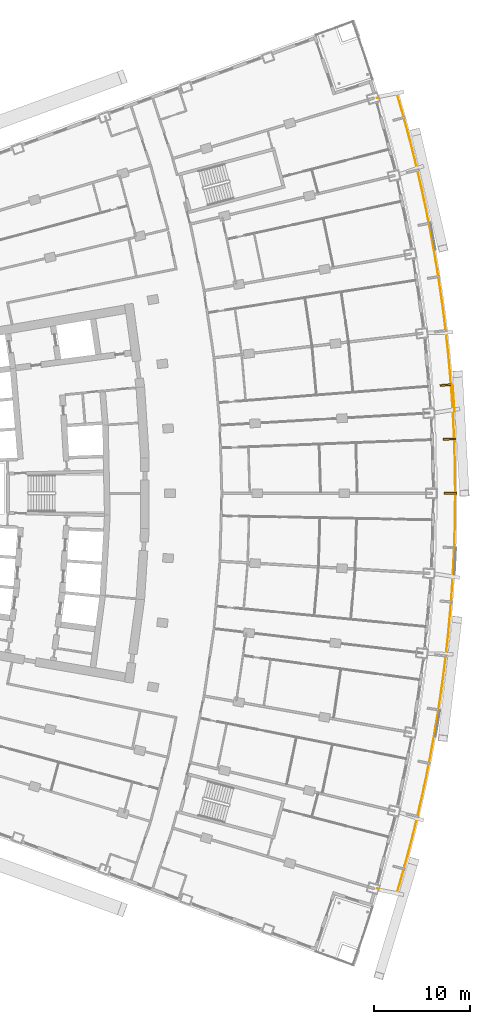
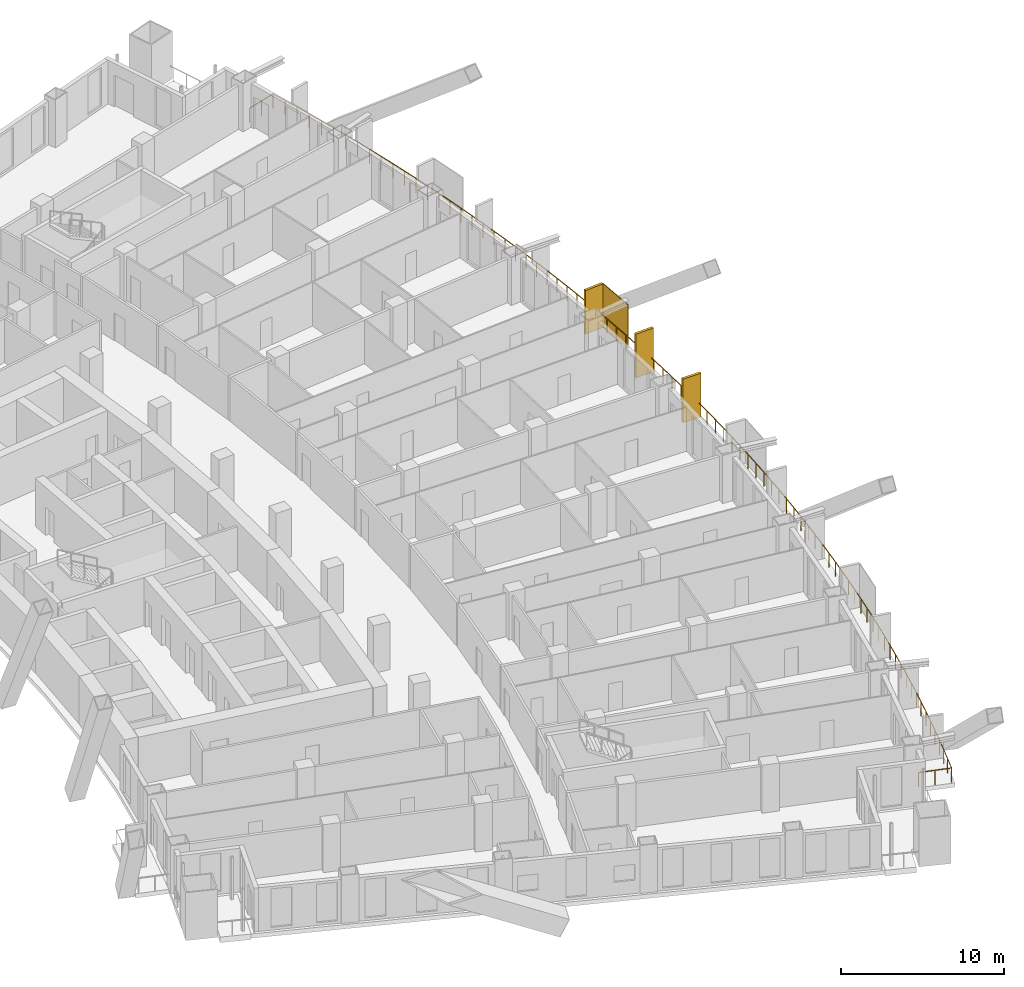
# One storey, part 24 of 25: 4 shading devices, 1 railing.
"""IFC4 building model written with IfcOpenShell, lengths in metres."""

from ifc_helpers import new_model, si_unit, direction, frame, origin, origin_2d, place, context, subcontext, project, spatial, rectangle, extrude, material, layer, layer_set, type_object, element, save


model = new_model("IFC4")

# Units and contexts
model_context = context("Model", 3, precision=1e-05, world=origin(), true_north=direction((0.0, 1.0)))
body_context = subcontext(model_context, "Body", "Model", "MODEL_VIEW")
ifc_project = project(units=[si_unit("LENGTHUNIT", "METRE"), si_unit("AREAUNIT", "SQUARE_METRE"), si_unit("VOLUMEUNIT", "CUBIC_METRE"), si_unit("PLANEANGLEUNIT", "RADIAN"), si_unit("MASSUNIT", "GRAM", prefix="KILO")], contexts=[model_context])

# Site, building, storey
site_placement = place(None, origin())
site = spatial("IfcSite", under=ifc_project, at=site_placement, CompositionType="ELEMENT")
building_placement = place(site_placement, origin())
building = spatial("IfcBuilding", under=site, at=building_placement, Name="Alderwake Tower", CompositionType="ELEMENT")
storey_placement = place(building_placement, frame((0.0, 0.0, 42.800048828125)))
storey = spatial("IfcBuildingStorey", under=building, at=storey_placement, Name="L09", CompositionType="ELEMENT", Elevation=42.800048828125)

# Railing
ifc_material_1 = material(Name="Stainless steel 316 rail and posts", Category="steel")
railing_type = type_object("IfcRailingType", Name="Balcony guard 1100", PredefinedType="GUARDRAIL", material=ifc_material_1)
railing_placement = place(storey_placement, frame((57.371826171875, 19.85986328125, 0.0)))
element("IfcRailing", 1, at=railing_placement, inside=storey, type_object=railing_type, Name="Guard BF02", PredefinedType="GUARDRAIL", context=body_context, shape_type="SweptSolid", body=[
    extrude(rectangle(XDim=0.048095703125, YDim=0.048095703125, at=origin_2d()), frame((0.0, 0.0, 1.076171875), z_axis=(0.957963748181, -0.286889276849, 0.0), x_axis=(0.286889276849, 0.957963748181, 0.0)), (0.0, 0.0, 1.0), 2.100341796875),
    extrude(rectangle(XDim=0.048095703125, YDim=0.048095703125, at=origin_2d()), frame((2.011962890625, -0.6025390625, 1.076171875), z_axis=(0.280139100614, 0.959959418052, 0.0), x_axis=(-0.959959418052, 0.280139100614, 0.0)), (0.0, 0.0, 1.0), 2.02197265625),
    extrude(rectangle(XDim=0.048095703125, YDim=0.048095703125, at=origin_2d()), frame((2.578369140625, 1.33837890625, 1.076171875), z_axis=(0.26658150654, 0.9638123782, 0.0), x_axis=(-0.9638123782, 0.26658150654, 0.0)), (0.0, 0.0, 1.0), 2.1220703125),
    extrude(rectangle(XDim=0.048095703125, YDim=0.048095703125, at=origin_2d()), frame((3.14404296875, 3.383544921875, 1.076171875), z_axis=(0.252459370457, 0.967607495976, 0.0), x_axis=(-0.967607495976, 0.252459370457, 0.0)), (0.0, 0.0, 1.0), 2.121826171875),
    extrude(rectangle(XDim=0.048095703125, YDim=0.048095703125, at=origin_2d()), frame((3.6796875, 5.4365234375, 1.076171875), z_axis=(0.238282958, 0.971195774253, 0.0), x_axis=(-0.971195774253, 0.238282958, 0.0)), (0.0, 0.0, 1.0), 2.121826171875),
    extrude(rectangle(XDim=0.048095703125, YDim=0.048095703125, at=origin_2d()), frame((4.185302734375, 7.497314453125, 1.076171875), z_axis=(0.224136765, 0.974557699972, 0.0), x_axis=(-0.974557699972, 0.224136765, 0.0)), (0.0, 0.0, 1.0), 2.121826171875),
    extrude(rectangle(XDim=0.048095703125, YDim=0.048095703125, at=origin_2d()), frame((4.660888671875, 9.565185546875, 1.076171875), z_axis=(0.209859086272, 0.977731642072, 0.0), x_axis=(-0.977731642072, 0.209859086272, 0.0)), (0.0, 0.0, 1.0), 2.1220703125),
    extrude(rectangle(XDim=0.048095703125, YDim=0.048095703125, at=origin_2d()), frame((5.106201171875, 11.639892578125, 1.076171875), z_axis=(0.195607176026, 0.980682330159, 0.0), x_axis=(-0.980682330159, 0.195607176026, 0.0)), (0.0, 0.0, 1.0), 2.121826171875),
    extrude(rectangle(XDim=0.048095703125, YDim=0.048095703125, at=origin_2d()), frame((5.521240234375, 13.720703125, 1.076171875), z_axis=(0.181223929541, 0.983441857642, 0.0), x_axis=(-0.983441857642, 0.181223929541, 0.0)), (0.0, 0.0, 1.0), 2.121826171875),
    extrude(rectangle(XDim=0.048095703125, YDim=0.048095703125, at=origin_2d()), frame((5.90576171875, 15.807373046875, 1.076171875), z_axis=(0.166935734745, 0.985967778614, 0.0), x_axis=(-0.985967778614, 0.166935734745, 0.0)), (0.0, 0.0, 1.0), 2.1220703125),
    extrude(rectangle(XDim=0.048095703125, YDim=0.048095703125, at=origin_2d()), frame((6.260009765625, 17.899658203125, 1.076171875), z_axis=(0.152575952674, 0.988291747747, 0.0), x_axis=(-0.988291747747, 0.152575952674, 0.0)), (0.0, 0.0, 1.0), 2.121826171875),
    extrude(rectangle(XDim=0.048095703125, YDim=0.048095703125, at=origin_2d()), frame((6.583740234375, 19.99658203125, 1.076171875), z_axis=(0.138070046454, 0.990422466563, 0.0), x_axis=(-0.990422466563, 0.138070046454, 0.0)), (0.0, 0.0, 1.0), 2.121826171875),
    extrude(rectangle(XDim=0.048095703125, YDim=0.048095703125, at=origin_2d()), frame((6.876708984375, 22.09814453125, 1.076171875), z_axis=(0.123694843093, 0.992320304031, 0.0), x_axis=(-0.992320304031, 0.123694843093, 0.0)), (0.0, 0.0, 1.0), 2.121826171875),
    extrude(rectangle(XDim=0.048095703125, YDim=0.048095703125, at=origin_2d()), frame((7.13916015625, 24.20361328125, 1.076171875), z_axis=(0.109080130326, 0.9940329598, 0.0), x_axis=(-0.9940329598, 0.109080130326, 0.0)), (0.0, 0.0, 1.0), 2.121826171875),
    extrude(rectangle(XDim=0.048095703125, YDim=0.048095703125, at=origin_2d()), frame((7.37060546875, 26.312744140625, 1.076171875), z_axis=(0.094695065428, 0.995506325738, 0.0), x_axis=(-0.995506325738, 0.094695065428, 0.0)), (0.0, 0.0, 1.0), 2.121826171875),
    extrude(rectangle(XDim=0.048095703125, YDim=0.048095703125, at=origin_2d()), frame((7.571533203125, 28.425048828125, 1.076171875), z_axis=(0.080083637385, 0.996788147513, 0.0), x_axis=(-0.996788147513, 0.080083637385, 0.0)), (0.0, 0.0, 1.0), 2.121826171875),
    extrude(rectangle(XDim=0.048095703125, YDim=0.048095703125, at=origin_2d()), frame((7.741455078125, 30.5400390625, 1.076171875), z_axis=(0.065579727847, 0.997847332659, 0.0), x_axis=(-0.997847332659, 0.065579727847, 0.0)), (0.0, 0.0, 1.0), 2.1220703125),
    extrude(rectangle(XDim=0.048095703125, YDim=0.048095703125, at=origin_2d()), frame((7.880615234375, 32.657470703125, 1.076171875), z_axis=(0.051085284185, 0.998694294436, 0.0), x_axis=(-0.998694294436, 0.051085284185, 0.0)), (0.0, 0.0, 1.0), 2.121826171875),
    extrude(rectangle(XDim=0.048095703125, YDim=0.048095703125, at=origin_2d()), frame((7.989013671875, 34.776611328125, 1.076171875), z_axis=(0.036360511364, 0.999338737973, 0.0), x_axis=(-0.999338737973, 0.036360511364, 0.0)), (0.0, 0.0, 1.0), 2.121826171875),
    extrude(rectangle(XDim=0.048095703125, YDim=0.048095703125, at=origin_2d()), frame((8.066162109375, 36.89697265625, 1.076171875), z_axis=(0.021976507204, 0.999758487401, 0.0), x_axis=(-0.999758487401, 0.021976507204, 0.0)), (0.0, 0.0, 1.0), 2.121826171875),
    extrude(rectangle(XDim=0.048095703125, YDim=0.048095703125, at=origin_2d()), frame((8.11279296875, 39.018310546875, 1.076171875), z_axis=(0.007248687707, 0.999973727918, 0.0), x_axis=(-0.999973727918, 0.007248687707, 0.0)), (0.0, 0.0, 1.0), 2.121826171875),
    extrude(rectangle(XDim=0.048095703125, YDim=0.048095703125, at=origin_2d()), frame((8.128173828125, 41.14013671875, 1.076171875), z_axis=(-0.007248687707, 0.999973727918, 0.0), x_axis=(-0.999973727918, -0.007248687707, 0.0)), (0.0, 0.0, 1.0), 2.121826171875),
    extrude(rectangle(XDim=0.048095703125, YDim=0.048095703125, at=origin_2d()), frame((8.11279296875, 43.261962890625, 1.076171875), z_axis=(-0.021976507204, 0.999758487401, 0.0), x_axis=(-0.999758487401, -0.021976507204, 0.0)), (0.0, 0.0, 1.0), 2.121826171875),
    extrude(rectangle(XDim=0.048095703125, YDim=0.048095703125, at=origin_2d()), frame((8.066162109375, 45.38330078125, 1.076171875), z_axis=(-0.036360511364, 0.999338737973, 0.0), x_axis=(-0.999338737973, -0.036360511364, 0.0)), (0.0, 0.0, 1.0), 2.121826171875),
    extrude(rectangle(XDim=0.048095703125, YDim=0.048095703125, at=origin_2d()), frame((7.989013671875, 47.503662109375, 1.076171875), z_axis=(-0.051085284185, 0.998694294436, 0.0), x_axis=(-0.998694294436, -0.051085284185, 0.0)), (0.0, 0.0, 1.0), 2.121826171875),
    extrude(rectangle(XDim=0.048095703125, YDim=0.048095703125, at=origin_2d()), frame((7.880615234375, 49.622802734375, 1.076171875), z_axis=(-0.065579727847, 0.997847332659, 0.0), x_axis=(-0.997847332659, -0.065579727847, 0.0)), (0.0, 0.0, 1.0), 2.1220703125),
    extrude(rectangle(XDim=0.048095703125, YDim=0.048095703125, at=origin_2d()), frame((7.741455078125, 51.740234375, 1.076171875), z_axis=(-0.080083637385, 0.996788147513, 0.0), x_axis=(-0.996788147513, -0.080083637385, 0.0)), (0.0, 0.0, 1.0), 2.121826171875),
    extrude(rectangle(XDim=0.048095703125, YDim=0.048095703125, at=origin_2d()), frame((7.571533203125, 53.855224609375, 1.076171875), z_axis=(-0.094695065428, 0.995506325738, 0.0), x_axis=(-0.995506325738, -0.094695065428, 0.0)), (0.0, 0.0, 1.0), 2.121826171875),
    extrude(rectangle(XDim=0.048095703125, YDim=0.048095703125, at=origin_2d()), frame((7.37060546875, 55.967529296875, 1.076171875), z_axis=(-0.109080130326, 0.9940329598, 0.0), x_axis=(-0.9940329598, -0.109080130326, 0.0)), (0.0, 0.0, 1.0), 2.121826171875),
    extrude(rectangle(XDim=0.048095703125, YDim=0.048095703125, at=origin_2d()), frame((7.13916015625, 58.07666015625, 1.076171875), z_axis=(-0.123694843093, 0.992320304031, 0.0), x_axis=(-0.992320304031, -0.123694843093, 0.0)), (0.0, 0.0, 1.0), 2.121826171875),
    extrude(rectangle(XDim=0.048095703125, YDim=0.048095703125, at=origin_2d()), frame((6.876708984375, 60.18212890625, 1.076171875), z_axis=(-0.138070046454, 0.990422466563, 0.0), x_axis=(-0.990422466563, -0.138070046454, 0.0)), (0.0, 0.0, 1.0), 2.121826171875),
    extrude(rectangle(XDim=0.048095703125, YDim=0.048095703125, at=origin_2d()), frame((6.583740234375, 62.28369140625, 1.076171875), z_axis=(-0.152575952674, 0.988291747747, 0.0), x_axis=(-0.988291747747, -0.152575952674, 0.0)), (0.0, 0.0, 1.0), 2.121826171875),
    extrude(rectangle(XDim=0.048095703125, YDim=0.048095703125, at=origin_2d()), frame((6.260009765625, 64.380615234375, 1.076171875), z_axis=(-0.166935734745, 0.985967778614, 0.0), x_axis=(-0.985967778614, -0.166935734745, 0.0)), (0.0, 0.0, 1.0), 2.1220703125),
    extrude(rectangle(XDim=0.048095703125, YDim=0.048095703125, at=origin_2d()), frame((5.90576171875, 66.472900390625, 1.076171875), z_axis=(-0.181223929541, 0.983441857642, 0.0), x_axis=(-0.983441857642, -0.181223929541, 0.0)), (0.0, 0.0, 1.0), 2.121826171875),
    extrude(rectangle(XDim=0.048095703125, YDim=0.048095703125, at=origin_2d()), frame((5.521240234375, 68.5595703125, 1.076171875), z_axis=(-0.195607176026, 0.980682330159, 0.0), x_axis=(-0.980682330159, -0.195607176026, 0.0)), (0.0, 0.0, 1.0), 2.121826171875),
    extrude(rectangle(XDim=0.048095703125, YDim=0.048095703125, at=origin_2d()), frame((5.106201171875, 70.640380859375, 1.076171875), z_axis=(-0.209859086272, 0.977731642072, 0.0), x_axis=(-0.977731642072, -0.209859086272, 0.0)), (0.0, 0.0, 1.0), 2.1220703125),
    extrude(rectangle(XDim=0.048095703125, YDim=0.048095703125, at=origin_2d()), frame((4.660888671875, 72.715087890625, 1.076171875), z_axis=(-0.224136765, 0.974557699972, 0.0), x_axis=(-0.974557699972, -0.224136765, 0.0)), (0.0, 0.0, 1.0), 2.121826171875),
    extrude(rectangle(XDim=0.048095703125, YDim=0.048095703125, at=origin_2d()), frame((4.185302734375, 74.782958984375, 1.076171875), z_axis=(-0.238282958, 0.971195774253, 0.0), x_axis=(-0.971195774253, -0.238282958, 0.0)), (0.0, 0.0, 1.0), 2.121826171875),
    extrude(rectangle(XDim=0.048095703125, YDim=0.048095703125, at=origin_2d()), frame((3.6796875, 76.84375, 1.076171875), z_axis=(-0.252459370457, 0.967607495976, 0.0), x_axis=(-0.967607495976, -0.252459370457, 0.0)), (0.0, 0.0, 1.0), 2.121826171875),
    extrude(rectangle(XDim=0.048095703125, YDim=0.048095703125, at=origin_2d()), frame((3.14404296875, 78.896728515625, 1.076171875), z_axis=(-0.26658150654, 0.9638123782, 0.0), x_axis=(-0.9638123782, -0.26658150654, 0.0)), (0.0, 0.0, 1.0), 2.1220703125),
    extrude(rectangle(XDim=0.048095703125, YDim=0.048095703125, at=origin_2d()), frame((2.578369140625, 80.94189453125, 1.076171875), z_axis=(-0.280139100614, 0.959959418052, 0.0), x_axis=(-0.959959418052, -0.280139100614, 0.0)), (0.0, 0.0, 1.0), 2.02197265625),
    extrude(rectangle(XDim=0.048095703125, YDim=0.048095703125, at=origin_2d()), frame((2.011962890625, 82.8828125, 1.076171875), z_axis=(-0.957963748181, -0.286889276849, 0.0), x_axis=(0.286889276849, -0.957963748181, 0.0)), (0.0, 0.0, 1.0), 2.100341796875),
    extrude(rectangle(XDim=0.0419921875, YDim=0.0419921875, at=origin_2d()), frame((0.0, 0.0, 0.0), z_axis=(0.0, 0.0, 1.0), x_axis=(0.957963748181, -0.286889276849, 0.0)), (0.0, 0.0, 1.0), 1.052001953125),
    extrude(rectangle(XDim=0.0419921875, YDim=0.0419921875, at=origin_2d()), frame((1.005859375, -0.30126953125, 0.0), z_axis=(0.0, 0.0, 1.0), x_axis=(0.957963748181, -0.286889276849, 0.0)), (0.0, 0.0, 1.0), 1.052001953125),
    extrude(rectangle(XDim=0.0419921875, YDim=0.0419921875, at=origin_2d()), frame((2.011962890625, -0.6025390625, 0.0), z_axis=(0.0, 0.0, 1.0), x_axis=(0.280139100614, 0.959959418052, 0.0)), (0.0, 0.0, 1.0), 1.052001953125),
    extrude(rectangle(XDim=0.0419921875, YDim=0.0419921875, at=origin_2d()), frame((2.295166015625, 0.367919921875, 0.0), z_axis=(0.0, 0.0, 1.0), x_axis=(0.280139100614, 0.959959418052, 0.0)), (0.0, 0.0, 1.0), 1.052001953125),
    extrude(rectangle(XDim=0.0419921875, YDim=0.0419921875, at=origin_2d()), frame((2.578369140625, 1.33837890625, 0.0), z_axis=(0.0, 0.0, 1.0), x_axis=(0.26658150654, 0.9638123782, 0.0)), (0.0, 0.0, 1.0), 1.052001953125),
    extrude(rectangle(XDim=0.0419921875, YDim=0.0419921875, at=origin_2d()), frame((2.861328125, 2.36083984375, 0.0), z_axis=(0.0, 0.0, 1.0), x_axis=(0.26658150654, 0.9638123782, 0.0)), (0.0, 0.0, 1.0), 1.052001953125),
    extrude(rectangle(XDim=0.0419921875, YDim=0.0419921875, at=origin_2d()), frame((3.14404296875, 3.383544921875, 0.0), z_axis=(0.0, 0.0, 1.0), x_axis=(0.252459370457, 0.967607495976, 0.0)), (0.0, 0.0, 1.0), 1.052001953125),
    extrude(rectangle(XDim=0.0419921875, YDim=0.0419921875, at=origin_2d()), frame((3.411865234375, 4.41015625, 0.0), z_axis=(0.0, 0.0, 1.0), x_axis=(0.252459370457, 0.967607495976, 0.0)), (0.0, 0.0, 1.0), 1.052001953125),
    extrude(rectangle(XDim=0.0419921875, YDim=0.0419921875, at=origin_2d()), frame((3.6796875, 5.4365234375, 0.0), z_axis=(0.0, 0.0, 1.0), x_axis=(0.238282958, 0.971195774253, 0.0)), (0.0, 0.0, 1.0), 1.052001953125),
    extrude(rectangle(XDim=0.0419921875, YDim=0.0419921875, at=origin_2d()), frame((3.9326171875, 6.466796875, 0.0), z_axis=(0.0, 0.0, 1.0), x_axis=(0.238282958, 0.971195774253, 0.0)), (0.0, 0.0, 1.0), 1.052001953125),
    extrude(rectangle(XDim=0.0419921875, YDim=0.0419921875, at=origin_2d()), frame((4.185302734375, 7.497314453125, 0.0), z_axis=(0.0, 0.0, 1.0), x_axis=(0.224136765, 0.974557699972, 0.0)), (0.0, 0.0, 1.0), 1.052001953125),
    extrude(rectangle(XDim=0.0419921875, YDim=0.0419921875, at=origin_2d()), frame((4.423095703125, 8.53125, 0.0), z_axis=(0.0, 0.0, 1.0), x_axis=(0.224136765, 0.974557699972, 0.0)), (0.0, 0.0, 1.0), 1.052001953125),
    extrude(rectangle(XDim=0.0419921875, YDim=0.0419921875, at=origin_2d()), frame((4.660888671875, 9.565185546875, 0.0), z_axis=(0.0, 0.0, 1.0), x_axis=(0.209859086272, 0.977731642072, 0.0)), (0.0, 0.0, 1.0), 1.052001953125),
    extrude(rectangle(XDim=0.0419921875, YDim=0.0419921875, at=origin_2d()), frame((4.883544921875, 10.6025390625, 0.0), z_axis=(0.0, 0.0, 1.0), x_axis=(0.209859086272, 0.977731642072, 0.0)), (0.0, 0.0, 1.0), 1.052001953125),
    extrude(rectangle(XDim=0.0419921875, YDim=0.0419921875, at=origin_2d()), frame((5.106201171875, 11.639892578125, 0.0), z_axis=(0.0, 0.0, 1.0), x_axis=(0.195607176026, 0.980682330159, 0.0)), (0.0, 0.0, 1.0), 1.052001953125),
    extrude(rectangle(XDim=0.0419921875, YDim=0.0419921875, at=origin_2d()), frame((5.313720703125, 12.68017578125, 0.0), z_axis=(0.0, 0.0, 1.0), x_axis=(0.195607176026, 0.980682330159, 0.0)), (0.0, 0.0, 1.0), 1.052001953125),
    extrude(rectangle(XDim=0.0419921875, YDim=0.0419921875, at=origin_2d()), frame((5.521240234375, 13.720703125, 0.0), z_axis=(0.0, 0.0, 1.0), x_axis=(0.181223929541, 0.983441857642, 0.0)), (0.0, 0.0, 1.0), 1.052001953125),
    extrude(rectangle(XDim=0.0419921875, YDim=0.0419921875, at=origin_2d()), frame((5.71337890625, 14.76416015625, 0.0), z_axis=(0.0, 0.0, 1.0), x_axis=(0.181223929541, 0.983441857642, 0.0)), (0.0, 0.0, 1.0), 1.052001953125),
    extrude(rectangle(XDim=0.0419921875, YDim=0.0419921875, at=origin_2d()), frame((5.90576171875, 15.807373046875, 0.0), z_axis=(0.0, 0.0, 1.0), x_axis=(0.166935734745, 0.985967778614, 0.0)), (0.0, 0.0, 1.0), 1.052001953125),
    extrude(rectangle(XDim=0.0419921875, YDim=0.0419921875, at=origin_2d()), frame((6.0830078125, 16.853515625, 0.0), z_axis=(0.0, 0.0, 1.0), x_axis=(0.166935734745, 0.985967778614, 0.0)), (0.0, 0.0, 1.0), 1.052001953125),
    extrude(rectangle(XDim=0.0419921875, YDim=0.0419921875, at=origin_2d()), frame((6.260009765625, 17.899658203125, 0.0), z_axis=(0.0, 0.0, 1.0), x_axis=(0.152575952674, 0.988291747747, 0.0)), (0.0, 0.0, 1.0), 1.052001953125),
    extrude(rectangle(XDim=0.0419921875, YDim=0.0419921875, at=origin_2d()), frame((6.421875, 18.9482421875, 0.0), z_axis=(0.0, 0.0, 1.0), x_axis=(0.152575952674, 0.988291747747, 0.0)), (0.0, 0.0, 1.0), 1.052001953125),
    extrude(rectangle(XDim=0.0419921875, YDim=0.0419921875, at=origin_2d()), frame((6.583740234375, 19.99658203125, 0.0), z_axis=(0.0, 0.0, 1.0), x_axis=(0.138070046454, 0.990422466563, 0.0)), (0.0, 0.0, 1.0), 1.052001953125),
    extrude(rectangle(XDim=0.0419921875, YDim=0.0419921875, at=origin_2d()), frame((6.730224609375, 21.04736328125, 0.0), z_axis=(0.0, 0.0, 1.0), x_axis=(0.138070046454, 0.990422466563, 0.0)), (0.0, 0.0, 1.0), 1.052001953125),
    extrude(rectangle(XDim=0.0419921875, YDim=0.0419921875, at=origin_2d()), frame((6.876708984375, 22.09814453125, 0.0), z_axis=(0.0, 0.0, 1.0), x_axis=(0.123694843093, 0.992320304031, 0.0)), (0.0, 0.0, 1.0), 1.052001953125),
    extrude(rectangle(XDim=0.0419921875, YDim=0.0419921875, at=origin_2d()), frame((7.0078125, 23.15087890625, 0.0), z_axis=(0.0, 0.0, 1.0), x_axis=(0.123694843093, 0.992320304031, 0.0)), (0.0, 0.0, 1.0), 1.052001953125),
    extrude(rectangle(XDim=0.0419921875, YDim=0.0419921875, at=origin_2d()), frame((7.13916015625, 24.20361328125, 0.0), z_axis=(0.0, 0.0, 1.0), x_axis=(0.109080130326, 0.9940329598, 0.0)), (0.0, 0.0, 1.0), 1.052001953125),
    extrude(rectangle(XDim=0.0419921875, YDim=0.0419921875, at=origin_2d()), frame((7.2548828125, 25.25830078125, 0.0), z_axis=(0.0, 0.0, 1.0), x_axis=(0.109080130326, 0.9940329598, 0.0)), (0.0, 0.0, 1.0), 1.052001953125),
    extrude(rectangle(XDim=0.0419921875, YDim=0.0419921875, at=origin_2d()), frame((7.37060546875, 26.312744140625, 0.0), z_axis=(0.0, 0.0, 1.0), x_axis=(0.094695065428, 0.995506325738, 0.0)), (0.0, 0.0, 1.0), 1.052001953125),
    extrude(rectangle(XDim=0.0419921875, YDim=0.0419921875, at=origin_2d()), frame((7.47119140625, 27.368896484375, 0.0), z_axis=(0.0, 0.0, 1.0), x_axis=(0.094695065428, 0.995506325738, 0.0)), (0.0, 0.0, 1.0), 1.052001953125),
    extrude(rectangle(XDim=0.0419921875, YDim=0.0419921875, at=origin_2d()), frame((7.571533203125, 28.425048828125, 0.0), z_axis=(0.0, 0.0, 1.0), x_axis=(0.080083637385, 0.996788147513, 0.0)), (0.0, 0.0, 1.0), 1.052001953125),
    extrude(rectangle(XDim=0.0419921875, YDim=0.0419921875, at=origin_2d()), frame((7.656494140625, 29.482421875, 0.0), z_axis=(0.0, 0.0, 1.0), x_axis=(0.080083637385, 0.996788147513, 0.0)), (0.0, 0.0, 1.0), 1.052001953125),
    extrude(rectangle(XDim=0.0419921875, YDim=0.0419921875, at=origin_2d()), frame((7.741455078125, 30.5400390625, 0.0), z_axis=(0.0, 0.0, 1.0), x_axis=(0.065579727847, 0.997847332659, 0.0)), (0.0, 0.0, 1.0), 1.052001953125),
    extrude(rectangle(XDim=0.0419921875, YDim=0.0419921875, at=origin_2d()), frame((7.81103515625, 31.5986328125, 0.0), z_axis=(0.0, 0.0, 1.0), x_axis=(0.065579727847, 0.997847332659, 0.0)), (0.0, 0.0, 1.0), 1.052001953125),
    extrude(rectangle(XDim=0.0419921875, YDim=0.0419921875, at=origin_2d()), frame((7.880615234375, 32.657470703125, 0.0), z_axis=(0.0, 0.0, 1.0), x_axis=(0.051085284185, 0.998694294436, 0.0)), (0.0, 0.0, 1.0), 1.052001953125),
    extrude(rectangle(XDim=0.0419921875, YDim=0.0419921875, at=origin_2d()), frame((7.934814453125, 33.717041015625, 0.0), z_axis=(0.0, 0.0, 1.0), x_axis=(0.051085284185, 0.998694294436, 0.0)), (0.0, 0.0, 1.0), 1.052001953125),
    extrude(rectangle(XDim=0.0419921875, YDim=0.0419921875, at=origin_2d()), frame((7.989013671875, 34.776611328125, 0.0), z_axis=(0.0, 0.0, 1.0), x_axis=(0.036360511364, 0.999338737973, 0.0)), (0.0, 0.0, 1.0), 1.052001953125),
    extrude(rectangle(XDim=0.0419921875, YDim=0.0419921875, at=origin_2d()), frame((8.027587890625, 35.8369140625, 0.0), z_axis=(0.0, 0.0, 1.0), x_axis=(0.036360511364, 0.999338737973, 0.0)), (0.0, 0.0, 1.0), 1.052001953125),
    extrude(rectangle(XDim=0.0419921875, YDim=0.0419921875, at=origin_2d()), frame((8.066162109375, 36.89697265625, 0.0), z_axis=(0.0, 0.0, 1.0), x_axis=(0.021976507204, 0.999758487401, 0.0)), (0.0, 0.0, 1.0), 1.052001953125),
    extrude(rectangle(XDim=0.0419921875, YDim=0.0419921875, at=origin_2d()), frame((8.08935546875, 37.95751953125, 0.0), z_axis=(0.0, 0.0, 1.0), x_axis=(0.021976507204, 0.999758487401, 0.0)), (0.0, 0.0, 1.0), 1.052001953125),
    extrude(rectangle(XDim=0.0419921875, YDim=0.0419921875, at=origin_2d()), frame((8.11279296875, 39.018310546875, 0.0), z_axis=(0.0, 0.0, 1.0), x_axis=(0.007248687707, 0.999973727918, 0.0)), (0.0, 0.0, 1.0), 1.052001953125),
    extrude(rectangle(XDim=0.0419921875, YDim=0.0419921875, at=origin_2d()), frame((8.12060546875, 40.0791015625, 0.0), z_axis=(0.0, 0.0, 1.0), x_axis=(0.007248687707, 0.999973727918, 0.0)), (0.0, 0.0, 1.0), 1.052001953125),
    extrude(rectangle(XDim=0.0419921875, YDim=0.0419921875, at=origin_2d()), frame((8.128173828125, 41.14013671875, 0.0), z_axis=(0.0, 0.0, 1.0), x_axis=(-0.007248687707, 0.999973727918, 0.0)), (0.0, 0.0, 1.0), 1.052001953125),
    extrude(rectangle(XDim=0.0419921875, YDim=0.0419921875, at=origin_2d()), frame((8.12060546875, 42.201171875, 0.0), z_axis=(0.0, 0.0, 1.0), x_axis=(-0.007248687707, 0.999973727918, 0.0)), (0.0, 0.0, 1.0), 1.052001953125),
    extrude(rectangle(XDim=0.0419921875, YDim=0.0419921875, at=origin_2d()), frame((8.11279296875, 43.261962890625, 0.0), z_axis=(0.0, 0.0, 1.0), x_axis=(-0.021976507204, 0.999758487401, 0.0)), (0.0, 0.0, 1.0), 1.052001953125),
    extrude(rectangle(XDim=0.0419921875, YDim=0.0419921875, at=origin_2d()), frame((8.08935546875, 44.32275390625, 0.0), z_axis=(0.0, 0.0, 1.0), x_axis=(-0.021976507204, 0.999758487401, 0.0)), (0.0, 0.0, 1.0), 1.052001953125),
    extrude(rectangle(XDim=0.0419921875, YDim=0.0419921875, at=origin_2d()), frame((8.066162109375, 45.38330078125, 0.0), z_axis=(0.0, 0.0, 1.0), x_axis=(-0.036360511364, 0.999338737973, 0.0)), (0.0, 0.0, 1.0), 1.052001953125),
    extrude(rectangle(XDim=0.0419921875, YDim=0.0419921875, at=origin_2d()), frame((8.027587890625, 46.443359375, 0.0), z_axis=(0.0, 0.0, 1.0), x_axis=(-0.036360511364, 0.999338737973, 0.0)), (0.0, 0.0, 1.0), 1.052001953125),
    extrude(rectangle(XDim=0.0419921875, YDim=0.0419921875, at=origin_2d()), frame((7.989013671875, 47.503662109375, 0.0), z_axis=(0.0, 0.0, 1.0), x_axis=(-0.051085284185, 0.998694294436, 0.0)), (0.0, 0.0, 1.0), 1.052001953125),
    extrude(rectangle(XDim=0.0419921875, YDim=0.0419921875, at=origin_2d()), frame((7.934814453125, 48.563232421875, 0.0), z_axis=(0.0, 0.0, 1.0), x_axis=(-0.051085284185, 0.998694294436, 0.0)), (0.0, 0.0, 1.0), 1.052001953125),
    extrude(rectangle(XDim=0.0419921875, YDim=0.0419921875, at=origin_2d()), frame((7.880615234375, 49.622802734375, 0.0), z_axis=(0.0, 0.0, 1.0), x_axis=(-0.065579727847, 0.997847332659, 0.0)), (0.0, 0.0, 1.0), 1.052001953125),
    extrude(rectangle(XDim=0.0419921875, YDim=0.0419921875, at=origin_2d()), frame((7.81103515625, 50.681640625, 0.0), z_axis=(0.0, 0.0, 1.0), x_axis=(-0.065579727847, 0.997847332659, 0.0)), (0.0, 0.0, 1.0), 1.052001953125),
    extrude(rectangle(XDim=0.0419921875, YDim=0.0419921875, at=origin_2d()), frame((7.741455078125, 51.740234375, 0.0), z_axis=(0.0, 0.0, 1.0), x_axis=(-0.080083637385, 0.996788147513, 0.0)), (0.0, 0.0, 1.0), 1.052001953125),
    extrude(rectangle(XDim=0.0419921875, YDim=0.0419921875, at=origin_2d()), frame((7.656494140625, 52.7978515625, 0.0), z_axis=(0.0, 0.0, 1.0), x_axis=(-0.080083637385, 0.996788147513, 0.0)), (0.0, 0.0, 1.0), 1.052001953125),
    extrude(rectangle(XDim=0.0419921875, YDim=0.0419921875, at=origin_2d()), frame((7.571533203125, 53.855224609375, 0.0), z_axis=(0.0, 0.0, 1.0), x_axis=(-0.094695065428, 0.995506325738, 0.0)), (0.0, 0.0, 1.0), 1.052001953125),
    extrude(rectangle(XDim=0.0419921875, YDim=0.0419921875, at=origin_2d()), frame((7.47119140625, 54.911376953125, 0.0), z_axis=(0.0, 0.0, 1.0), x_axis=(-0.094695065428, 0.995506325738, 0.0)), (0.0, 0.0, 1.0), 1.052001953125),
    extrude(rectangle(XDim=0.0419921875, YDim=0.0419921875, at=origin_2d()), frame((7.37060546875, 55.967529296875, 0.0), z_axis=(0.0, 0.0, 1.0), x_axis=(-0.109080130326, 0.9940329598, 0.0)), (0.0, 0.0, 1.0), 1.052001953125),
    extrude(rectangle(XDim=0.0419921875, YDim=0.0419921875, at=origin_2d()), frame((7.2548828125, 57.02197265625, 0.0), z_axis=(0.0, 0.0, 1.0), x_axis=(-0.109080130326, 0.9940329598, 0.0)), (0.0, 0.0, 1.0), 1.052001953125),
    extrude(rectangle(XDim=0.0419921875, YDim=0.0419921875, at=origin_2d()), frame((7.13916015625, 58.07666015625, 0.0), z_axis=(0.0, 0.0, 1.0), x_axis=(-0.123694843093, 0.992320304031, 0.0)), (0.0, 0.0, 1.0), 1.052001953125),
    extrude(rectangle(XDim=0.0419921875, YDim=0.0419921875, at=origin_2d()), frame((7.0078125, 59.12939453125, 0.0), z_axis=(0.0, 0.0, 1.0), x_axis=(-0.123694843093, 0.992320304031, 0.0)), (0.0, 0.0, 1.0), 1.052001953125),
    extrude(rectangle(XDim=0.0419921875, YDim=0.0419921875, at=origin_2d()), frame((6.876708984375, 60.18212890625, 0.0), z_axis=(0.0, 0.0, 1.0), x_axis=(-0.138070046454, 0.990422466563, 0.0)), (0.0, 0.0, 1.0), 1.052001953125),
    extrude(rectangle(XDim=0.0419921875, YDim=0.0419921875, at=origin_2d()), frame((6.730224609375, 61.23291015625, 0.0), z_axis=(0.0, 0.0, 1.0), x_axis=(-0.138070046454, 0.990422466563, 0.0)), (0.0, 0.0, 1.0), 1.052001953125),
    extrude(rectangle(XDim=0.0419921875, YDim=0.0419921875, at=origin_2d()), frame((6.583740234375, 62.28369140625, 0.0), z_axis=(0.0, 0.0, 1.0), x_axis=(-0.152575952674, 0.988291747747, 0.0)), (0.0, 0.0, 1.0), 1.052001953125),
    extrude(rectangle(XDim=0.0419921875, YDim=0.0419921875, at=origin_2d()), frame((6.421875, 63.33203125, 0.0), z_axis=(0.0, 0.0, 1.0), x_axis=(-0.152575952674, 0.988291747747, 0.0)), (0.0, 0.0, 1.0), 1.052001953125),
    extrude(rectangle(XDim=0.0419921875, YDim=0.0419921875, at=origin_2d()), frame((6.260009765625, 64.380615234375, 0.0), z_axis=(0.0, 0.0, 1.0), x_axis=(-0.166935734745, 0.985967778614, 0.0)), (0.0, 0.0, 1.0), 1.052001953125),
    extrude(rectangle(XDim=0.0419921875, YDim=0.0419921875, at=origin_2d()), frame((6.0830078125, 65.4267578125, 0.0), z_axis=(0.0, 0.0, 1.0), x_axis=(-0.166935734745, 0.985967778614, 0.0)), (0.0, 0.0, 1.0), 1.052001953125),
    extrude(rectangle(XDim=0.0419921875, YDim=0.0419921875, at=origin_2d()), frame((5.90576171875, 66.472900390625, 0.0), z_axis=(0.0, 0.0, 1.0), x_axis=(-0.181223929541, 0.983441857642, 0.0)), (0.0, 0.0, 1.0), 1.052001953125),
    extrude(rectangle(XDim=0.0419921875, YDim=0.0419921875, at=origin_2d()), frame((5.71337890625, 67.51611328125, 0.0), z_axis=(0.0, 0.0, 1.0), x_axis=(-0.181223929541, 0.983441857642, 0.0)), (0.0, 0.0, 1.0), 1.052001953125),
    extrude(rectangle(XDim=0.0419921875, YDim=0.0419921875, at=origin_2d()), frame((5.521240234375, 68.5595703125, 0.0), z_axis=(0.0, 0.0, 1.0), x_axis=(-0.195607176026, 0.980682330159, 0.0)), (0.0, 0.0, 1.0), 1.052001953125),
    extrude(rectangle(XDim=0.0419921875, YDim=0.0419921875, at=origin_2d()), frame((5.313720703125, 69.60009765625, 0.0), z_axis=(0.0, 0.0, 1.0), x_axis=(-0.195607176026, 0.980682330159, 0.0)), (0.0, 0.0, 1.0), 1.052001953125),
    extrude(rectangle(XDim=0.0419921875, YDim=0.0419921875, at=origin_2d()), frame((5.106201171875, 70.640380859375, 0.0), z_axis=(0.0, 0.0, 1.0), x_axis=(-0.209859086272, 0.977731642072, 0.0)), (0.0, 0.0, 1.0), 1.052001953125),
    extrude(rectangle(XDim=0.0419921875, YDim=0.0419921875, at=origin_2d()), frame((4.883544921875, 71.677734375, 0.0), z_axis=(0.0, 0.0, 1.0), x_axis=(-0.209859086272, 0.977731642072, 0.0)), (0.0, 0.0, 1.0), 1.052001953125),
    extrude(rectangle(XDim=0.0419921875, YDim=0.0419921875, at=origin_2d()), frame((4.660888671875, 72.715087890625, 0.0), z_axis=(0.0, 0.0, 1.0), x_axis=(-0.224136765, 0.974557699972, 0.0)), (0.0, 0.0, 1.0), 1.052001953125),
    extrude(rectangle(XDim=0.0419921875, YDim=0.0419921875, at=origin_2d()), frame((4.423095703125, 73.7490234375, 0.0), z_axis=(0.0, 0.0, 1.0), x_axis=(-0.224136765, 0.974557699972, 0.0)), (0.0, 0.0, 1.0), 1.052001953125),
    extrude(rectangle(XDim=0.0419921875, YDim=0.0419921875, at=origin_2d()), frame((4.185302734375, 74.782958984375, 0.0), z_axis=(0.0, 0.0, 1.0), x_axis=(-0.238282958, 0.971195774253, 0.0)), (0.0, 0.0, 1.0), 1.052001953125),
    extrude(rectangle(XDim=0.0419921875, YDim=0.0419921875, at=origin_2d()), frame((3.9326171875, 75.8134765625, 0.0), z_axis=(0.0, 0.0, 1.0), x_axis=(-0.238282958, 0.971195774253, 0.0)), (0.0, 0.0, 1.0), 1.052001953125),
    extrude(rectangle(XDim=0.0419921875, YDim=0.0419921875, at=origin_2d()), frame((3.6796875, 76.84375, 0.0), z_axis=(0.0, 0.0, 1.0), x_axis=(-0.252459370457, 0.967607495976, 0.0)), (0.0, 0.0, 1.0), 1.052001953125),
    extrude(rectangle(XDim=0.0419921875, YDim=0.0419921875, at=origin_2d()), frame((3.411865234375, 77.8701171875, 0.0), z_axis=(0.0, 0.0, 1.0), x_axis=(-0.252459370457, 0.967607495976, 0.0)), (0.0, 0.0, 1.0), 1.052001953125),
    extrude(rectangle(XDim=0.0419921875, YDim=0.0419921875, at=origin_2d()), frame((3.14404296875, 78.896728515625, 0.0), z_axis=(0.0, 0.0, 1.0), x_axis=(-0.26658150654, 0.9638123782, 0.0)), (0.0, 0.0, 1.0), 1.052001953125),
    extrude(rectangle(XDim=0.0419921875, YDim=0.0419921875, at=origin_2d()), frame((2.861328125, 79.91943359375, 0.0), z_axis=(0.0, 0.0, 1.0), x_axis=(-0.26658150654, 0.9638123782, 0.0)), (0.0, 0.0, 1.0), 1.052001953125),
    extrude(rectangle(XDim=0.0419921875, YDim=0.0419921875, at=origin_2d()), frame((2.578369140625, 80.94189453125, 0.0), z_axis=(0.0, 0.0, 1.0), x_axis=(-0.280139100614, 0.959959418052, 0.0)), (0.0, 0.0, 1.0), 1.052001953125),
    extrude(rectangle(XDim=0.0419921875, YDim=0.0419921875, at=origin_2d()), frame((2.295166015625, 81.912353515625, 0.0), z_axis=(0.0, 0.0, 1.0), x_axis=(-0.280139100614, 0.959959418052, 0.0)), (0.0, 0.0, 1.0), 1.052001953125),
    extrude(rectangle(XDim=0.0419921875, YDim=0.0419921875, at=origin_2d()), frame((2.011962890625, 82.8828125, 0.0), z_axis=(0.0, 0.0, 1.0), x_axis=(-0.957963748181, -0.286889276849, 0.0)), (0.0, 0.0, 1.0), 1.052001953125),
    extrude(rectangle(XDim=0.0419921875, YDim=0.0419921875, at=origin_2d()), frame((1.005859375, 82.58154296875, 0.0), z_axis=(0.0, 0.0, 1.0), x_axis=(-0.957963748181, -0.286889276849, 0.0)), (0.0, 0.0, 1.0), 1.052001953125),
    extrude(rectangle(XDim=0.0419921875, YDim=0.0419921875, at=origin_2d()), frame((0.0, 82.2802734375, 0.0), z_axis=(0.0, 0.0, 1.0), x_axis=(-0.957963748181, -0.286889276849, 0.0)), (0.0, 0.0, 1.0), 1.052001953125),
])

# Shading devices
ifc_material_2 = material(Name="Bronze anodised aluminium", Category="aluminium")
ifc_layer_1 = layer(ifc_material_2, 0.179931640625)
ifc_layer_set_1 = layer_set([ifc_layer_1], Name="Facade fin 1300")
shading_device_type_1 = type_object("IfcShadingDeviceType", Name="Facade fin 1300", PredefinedType="USERDEFINED", material=ifc_layer_set_1)
for number, where, z_axis, x_axis, name in (
    (2, (65.0, 61.0, 0.0), (0.0, 0.0, 1.0), (1.0, 0.0, 0.0), "Fin"),
    (3, (64.890380859375, 66.63916015625, 0.0), (0.0, 0.0, 1.0), (0.999243494356, 0.038890088543, 0.0), "Fin"),
    (4, (64.561279296875, 72.26953125, 0.0), (0.0, 0.0, 1.0), (0.996975122026, 0.077721335943, 0.0), "Fin"),
):
    element("IfcShadingDevice", number, at=place(storey_placement, frame(where, z_axis=z_axis, x_axis=x_axis)), inside=storey, type_object=shading_device_type_1, Name=name, ObjectType="FIN", PredefinedType="USERDEFINED", context=body_context, shape_type="SweptSolid", body=[
        extrude(rectangle(XDim=1.300048828125, YDim=0.179931640625, at=origin_2d()), origin(), (0.0, 0.0, 1.0), 3.280029296875),
    ])
ifc_material_3 = material(Name="Perforated bronze anodised aluminium", Category="aluminium")
ifc_layer_2 = layer(ifc_material_3, 0.050048828125)
ifc_layer_set_2 = layer_set([ifc_layer_2], Name="Perforated screen panel")
shading_device_type_2 = type_object("IfcShadingDeviceType", Name="Perforated screen panel", PredefinedType="USERDEFINED", material=ifc_layer_set_2)
shading_device_placement = place(storey_placement, frame((65.330810546875, 70.905029296875, 0.0), z_axis=(0.0, 0.0, 1.0), x_axis=(0.997685465774, 0.067997877779, 0.0)))
element("IfcShadingDevice", 5, at=shading_device_placement, inside=storey, type_object=shading_device_type_2, Name="Screen panel", ObjectType="SCREEN", PredefinedType="USERDEFINED", context=body_context, shape_type="SweptSolid", body=[
    extrude(rectangle(XDim=0.050048828125, YDim=2.840576171875, at=origin_2d()), origin(), (0.0, 0.0, 1.0), 3.280029296875),
])

save(model, "model.ifc")
